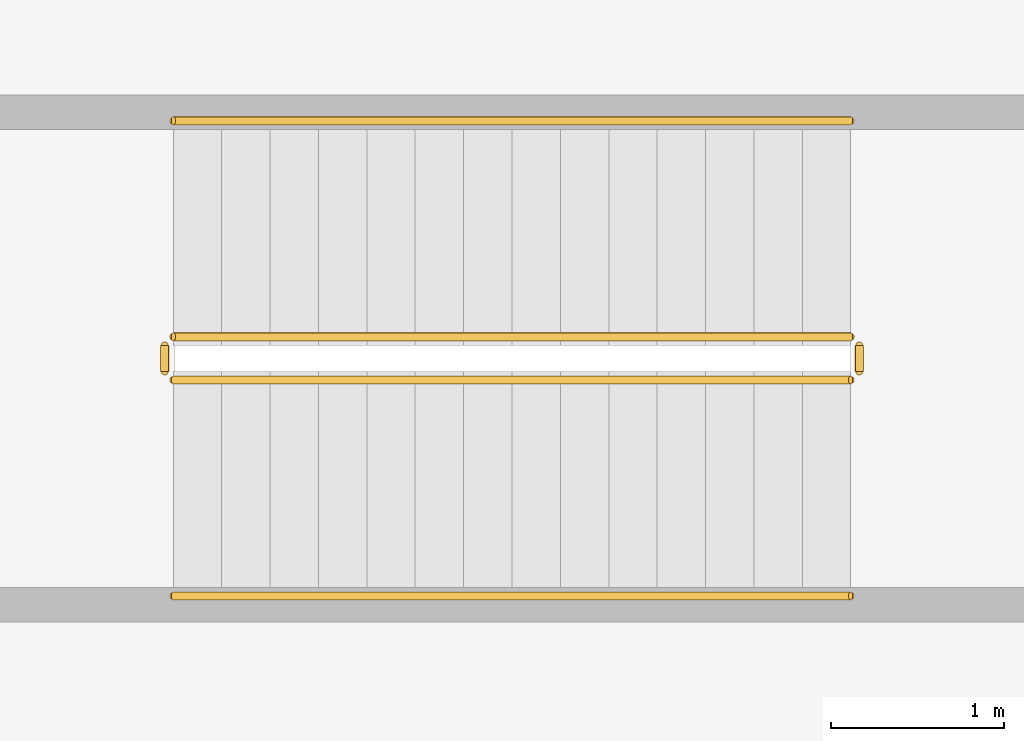
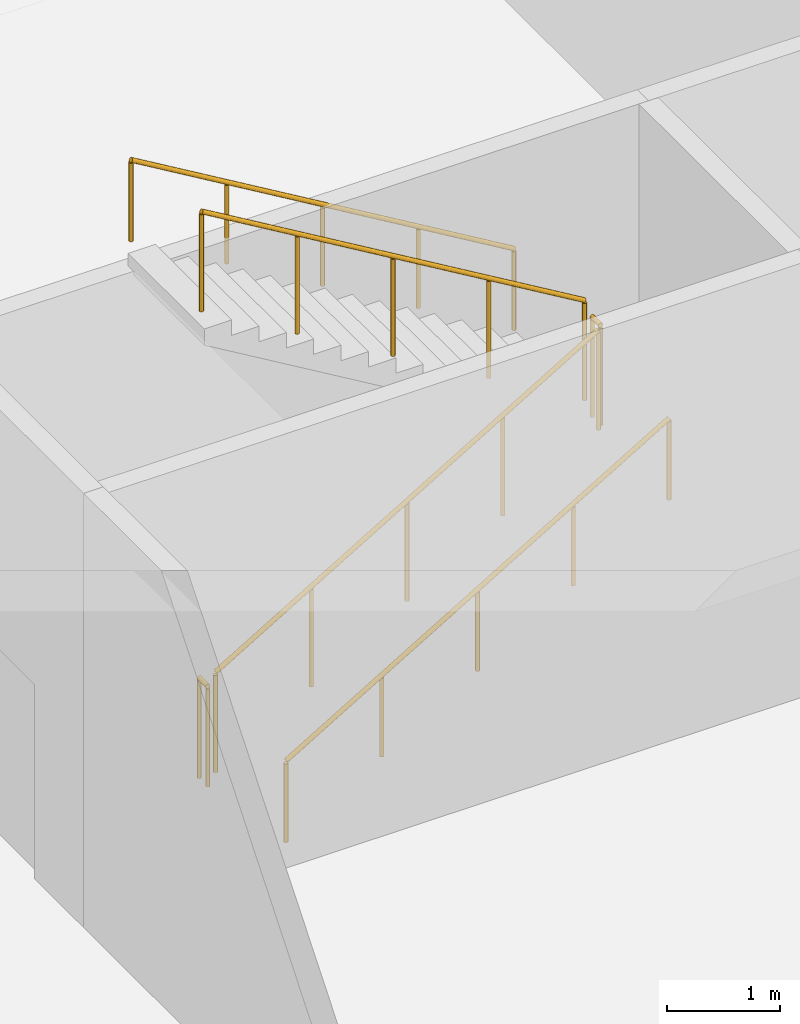
# One storey, part 8 of 10: 6 railings.
"""IFC4 building model written with IfcOpenShell, lengths in metres."""

from ifc_helpers import new_model, si_unit, direction, frame, origin, origin_2d, place, context, subcontext, project, spatial, circle, extrude, source, transform, mapped, material, type_object, element, save


model = new_model("IFC4")

# Units and contexts
model_context = context("Model", 3, precision=1e-05, world=origin(), true_north=direction((0.0, 1.0)))
body_context = subcontext(model_context, "Body", "Model", "MODEL_VIEW")
ifc_project = project(units=[si_unit("LENGTHUNIT", "METRE"), si_unit("AREAUNIT", "SQUARE_METRE"), si_unit("VOLUMEUNIT", "CUBIC_METRE"), si_unit("PLANEANGLEUNIT", "RADIAN"), si_unit("MASSUNIT", "GRAM", prefix="KILO")], contexts=[model_context])

# Site, building, storey
site_placement = place(None, origin())
site = spatial("IfcSite", under=ifc_project, at=site_placement, CompositionType="ELEMENT")
building_placement = place(site_placement, origin())
building = spatial("IfcBuilding", under=site, at=building_placement, Name="Embergate Tower", CompositionType="ELEMENT")
storey_placement = place(building_placement, frame((0.0, 0.0, -5.0)))
storey = spatial("IfcBuildingStorey", under=building, at=storey_placement, Name="B1", CompositionType="ELEMENT", Elevation=-5.0)

# Railings
ifc_material = material(Name="Steel", Category="steel")
railing_type_1 = type_object("IfcRailingType", Name="Exit stair guard 1100", PredefinedType="GUARDRAIL", material=ifc_material)
shared_shape_1 = source(origin(), body_context, "Body", "SweptSolid", [
    extrude(circle(Radius=0.02392578125, at=origin_2d()), frame((0.0, 0.0, 1.076171875), z_axis=(0.0, 1.0, 0.0), x_axis=(-1.0, 0.0, 0.0)), (0.0, 0.0, 1.0), 0.14990234375),
    extrude(circle(Radius=0.02099609375, at=origin_2d()), origin(), (0.0, 0.0, 1.0), 1.052001953125),
    extrude(circle(Radius=0.02099609375, at=origin_2d()), frame((0.0, 0.14990234375, 0.0)), (0.0, 0.0, 1.0), 1.052001953125),
])
for number, where, name in (
    (1, (31.77001953125, -0.074951171875, 2.5), "B1 XE1 stair guard 2"),
    (2, (27.75, -0.074951171875, 0.0), "B1 XE1 stair guard 4"),
):
    element("IfcRailing", number, at=place(storey_placement, frame(where)), inside=storey, type_object=railing_type_1, Name=name, PredefinedType="GUARDRAIL", context=body_context, shape_type="MappedRepresentation", body=[
        mapped(shared_shape_1, transform((0.0, 0.0, 0.0))),
    ])
shared_shape_2 = source(origin(), body_context, "Body", "SweptSolid", [
    extrude(circle(Radius=0.02392578125, at=origin_2d()), frame((0.0, 0.0, 1.076171875), z_axis=(0.859296244711, 0.0, 0.511478214419), x_axis=(0.0, 1.0, 0.0)), (0.0, 0.0, 1.0), 4.561767578125),
    extrude(circle(Radius=0.02099609375, at=origin_2d()), origin(), (0.0, 0.0, 1.0), 1.052001953125),
    extrude(circle(Radius=0.02099609375, at=origin_2d()), frame((0.97998046875, 0.0, 0.583251953125)), (0.0, 0.0, 1.0), 1.052001953125),
    extrude(circle(Radius=0.02099609375, at=origin_2d()), frame((1.9599609375, 0.0, 1.16650390625)), (0.0, 0.0, 1.0), 1.052001953125),
    extrude(circle(Radius=0.02099609375, at=origin_2d()), frame((2.93994140625, 0.0, 1.75)), (0.0, 0.0, 1.0), 1.052001953125),
    extrude(circle(Radius=0.02099609375, at=origin_2d()), frame((3.919921875, 0.0, 2.333251953125)), (0.0, 0.0, 1.0), 1.052001953125),
])
railing_1_placement = place(storey_placement, frame((27.800048828125, -0.125, 0.166748046875)))
element("IfcRailing", 3, at=railing_1_placement, inside=storey, type_object=railing_type_1, Name="B1 XE1 stair guard 1", PredefinedType="GUARDRAIL", context=body_context, shape_type="MappedRepresentation", body=[
    mapped(shared_shape_2, transform((0.0, 0.0, 0.0))),
])
shared_shape_3 = source(origin(), body_context, "Body", "SweptSolid", [
    extrude(circle(Radius=0.02392578125, at=origin_2d()), frame((0.0, 0.0, 1.076171875), z_axis=(-0.859296244711, 0.0, 0.511478214419), x_axis=(0.0, -1.0, 0.0)), (0.0, 0.0, 1.0), 4.561767578125),
    extrude(circle(Radius=0.02099609375, at=origin_2d()), origin(), (0.0, 0.0, 1.0), 1.052001953125),
    extrude(circle(Radius=0.02099609375, at=origin_2d()), frame((-0.97998046875, 0.0, 0.583251953125)), (0.0, 0.0, 1.0), 1.052001953125),
    extrude(circle(Radius=0.02099609375, at=origin_2d()), frame((-1.9599609375, 0.0, 1.16650390625)), (0.0, 0.0, 1.0), 1.052001953125),
    extrude(circle(Radius=0.02099609375, at=origin_2d()), frame((-2.93994140625, 0.0, 1.75)), (0.0, 0.0, 1.0), 1.052001953125),
    extrude(circle(Radius=0.02099609375, at=origin_2d()), frame((-3.919921875, 0.0, 2.333251953125)), (0.0, 0.0, 1.0), 1.052001953125),
])
railing_2_placement = place(storey_placement, frame((31.719970703125, 0.125, 2.666748046875)))
element("IfcRailing", 4, at=railing_2_placement, inside=storey, type_object=railing_type_1, Name="B1 XE1 stair guard 3", PredefinedType="GUARDRAIL", context=body_context, shape_type="MappedRepresentation", body=[
    mapped(shared_shape_3, transform((0.0, 0.0, 0.0))),
])
railing_type_2 = type_object("IfcRailingType", Name="Exit stair handrail 900", PredefinedType="HANDRAIL", material=ifc_material)
shared_shape_4 = source(origin(), body_context, "Body", "SweptSolid", [
    extrude(circle(Radius=0.02392578125, at=origin_2d()), frame((0.0, 0.0, 0.8759765625), z_axis=(0.859296244711, 0.0, 0.511478214419), x_axis=(0.0, 1.0, 0.0)), (0.0, 0.0, 1.0), 4.561767578125),
    extrude(circle(Radius=0.02099609375, at=origin_2d()), origin(), (0.0, 0.0, 1.0), 0.851806640625),
    extrude(circle(Radius=0.02099609375, at=origin_2d()), frame((0.97998046875, 0.0, 0.583251953125)), (0.0, 0.0, 1.0), 0.851806640625),
    extrude(circle(Radius=0.02099609375, at=origin_2d()), frame((1.9599609375, 0.0, 1.16650390625)), (0.0, 0.0, 1.0), 0.851806640625),
    extrude(circle(Radius=0.02099609375, at=origin_2d()), frame((2.93994140625, 0.0, 1.75)), (0.0, 0.0, 1.0), 0.851806640625),
    extrude(circle(Radius=0.02099609375, at=origin_2d()), frame((3.919921875, 0.0, 2.333251953125)), (0.0, 0.0, 1.0), 0.851806640625),
])
railing_3_placement = place(storey_placement, frame((27.800048828125, -1.375, 0.166748046875)))
element("IfcRailing", 5, at=railing_3_placement, inside=storey, type_object=railing_type_2, Name="B1 XE1 stair handrail 1", PredefinedType="HANDRAIL", context=body_context, shape_type="MappedRepresentation", body=[
    mapped(shared_shape_4, transform((0.0, 0.0, 0.0))),
])
shared_shape_5 = source(origin(), body_context, "Body", "SweptSolid", [
    extrude(circle(Radius=0.02392578125, at=origin_2d()), frame((0.0, 0.0, 0.8759765625), z_axis=(-0.859296244711, 0.0, 0.511478214419), x_axis=(0.0, -1.0, 0.0)), (0.0, 0.0, 1.0), 4.561767578125),
    extrude(circle(Radius=0.02099609375, at=origin_2d()), origin(), (0.0, 0.0, 1.0), 0.851806640625),
    extrude(circle(Radius=0.02099609375, at=origin_2d()), frame((-0.97998046875, 0.0, 0.583251953125)), (0.0, 0.0, 1.0), 0.851806640625),
    extrude(circle(Radius=0.02099609375, at=origin_2d()), frame((-1.9599609375, 0.0, 1.16650390625)), (0.0, 0.0, 1.0), 0.851806640625),
    extrude(circle(Radius=0.02099609375, at=origin_2d()), frame((-2.93994140625, 0.0, 1.75)), (0.0, 0.0, 1.0), 0.851806640625),
    extrude(circle(Radius=0.02099609375, at=origin_2d()), frame((-3.919921875, 0.0, 2.333251953125)), (0.0, 0.0, 1.0), 0.851806640625),
])
railing_4_placement = place(storey_placement, frame((31.719970703125, 1.375, 2.666748046875)))
element("IfcRailing", 6, at=railing_4_placement, inside=storey, type_object=railing_type_2, Name="B1 XE1 stair handrail 2", PredefinedType="HANDRAIL", context=body_context, shape_type="MappedRepresentation", body=[
    mapped(shared_shape_5, transform((0.0, 0.0, 0.0))),
])

save(model, "model.ifc")
